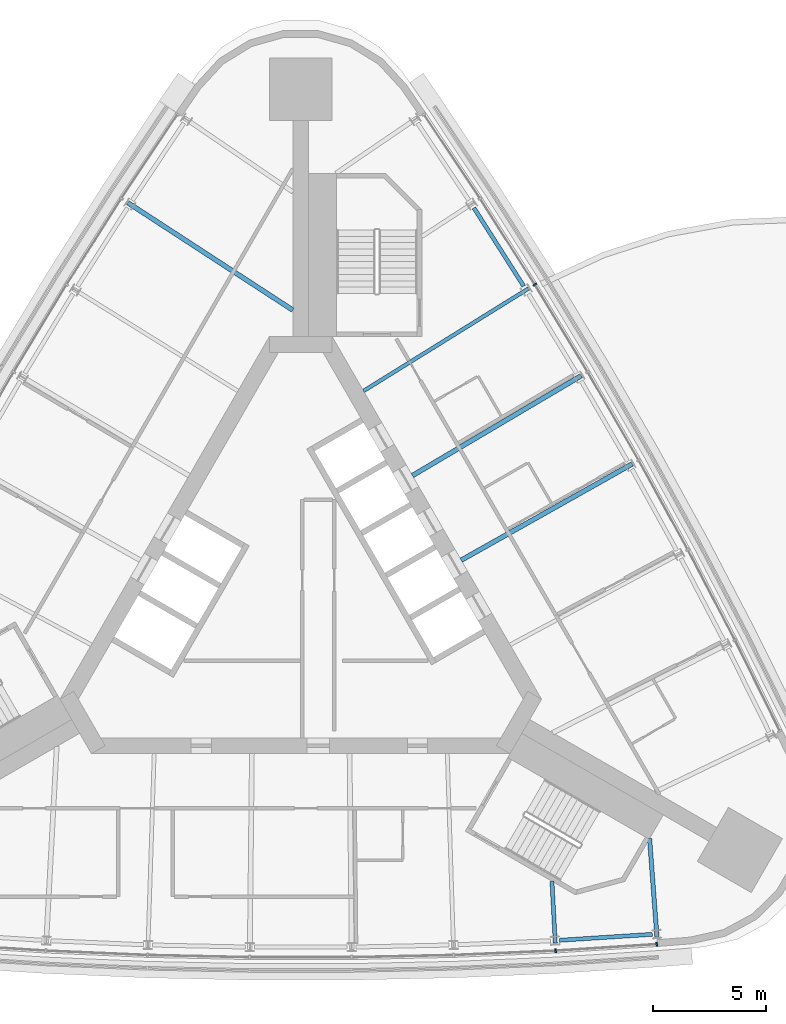
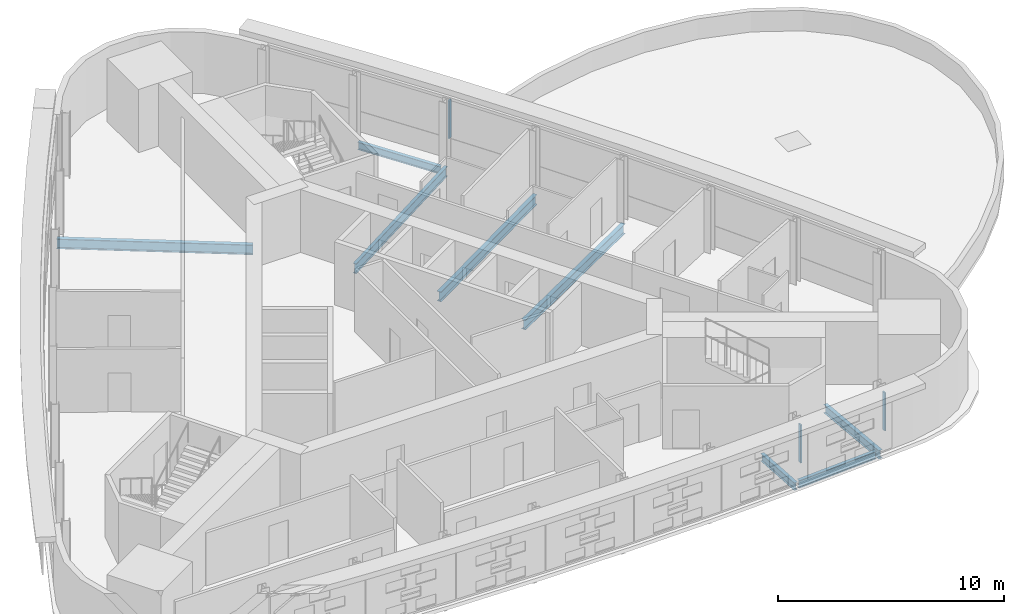
# One storey, part 4 of 12: 8 beams, 3 members, 2 elements without a shape of their own.
"""IFC4 building model written with IfcOpenShell, lengths in metres."""

from ifc_helpers import new_model, si_unit, direction, frame, origin, origin_2d, place, context, subcontext, project, spatial, rectangle, i_section, extrude, material, material_profile, profile_set, type_object, element, aggregate, save


model = new_model("IFC4")

# Units and contexts
model_context = context("Model", 3, precision=1e-05, world=origin(), true_north=direction((0.0, 1.0)))
body_context = subcontext(model_context, "Body", "Model", "MODEL_VIEW")
ifc_project = project(units=[si_unit("LENGTHUNIT", "METRE"), si_unit("AREAUNIT", "SQUARE_METRE"), si_unit("VOLUMEUNIT", "CUBIC_METRE"), si_unit("PLANEANGLEUNIT", "RADIAN"), si_unit("MASSUNIT", "GRAM", prefix="KILO")], contexts=[model_context])

# Site, building, storey
site_placement = place(None, origin())
site = spatial("IfcSite", under=ifc_project, at=site_placement, CompositionType="ELEMENT")
building_placement = place(site_placement, origin())
building = spatial("IfcBuilding", under=site, at=building_placement, Name="Noor Cloister Tower", CompositionType="ELEMENT")
storey_placement = place(building_placement, frame((0.0, 0.0, 185.10009765625)))
storey = spatial("IfcBuildingStorey", under=building, at=storey_placement, Name="L47", CompositionType="ELEMENT", Elevation=185.10009765625)

# Curtain wall, members
ifc_material_1 = material(Name="Aluminium 6063-T6 anodised", Category="aluminium")
curtain_wall_type = type_object("IfcCurtainWallType", Name="Ribbon curtain wall, upper tower CW5", PredefinedType="NOTDEFINED", material=ifc_material_1)
curtain_wall_1_placement = place(storey_placement, origin())
curtain_wall_1 = element("IfcCurtainWall", 1, at=curtain_wall_1_placement, inside=storey, type_object=curtain_wall_type, Name="CW5 L47 S run 2", PredefinedType="NOTDEFINED")
ifc_material_2 = material(Name="Aluminium 6063-T6 anodised", Category="aluminium")
ifc_material_profile_1 = material_profile(ifc_material_2, rectangle(XDim=0.179931640625, YDim=0.070068359375, at=origin_2d()), Name="180 x 70 mullion")
ifc_profile_set_1 = profile_set([ifc_material_profile_1], Name="Aluminium 6063-T6 anodised")
member_type = type_object("IfcMemberType", Name="Mullion CW5 70 x 180", PredefinedType="MULLION", material=ifc_profile_set_1)
member_1_placement = place(storey_placement, frame((11.2392578125, -15.617919921875, 1.099853515625), z_axis=(0.0, 0.0, 1.0), x_axis=(-0.05349459064, 0.998568139274, 0.0)))
member_1 = element("IfcMember", 2, at=member_1_placement, type_object=member_type, Name="CW5 mullion 7", PredefinedType="MULLION", context=body_context, shape_type="SweptSolid", body=[
    extrude(rectangle(XDim=0.179931640625, YDim=0.070068359375, at=origin_2d()), origin(), (0.0, 0.0, 1.0), 2.050048828125),
])
member_2_placement = place(storey_placement, frame((15.69384765625, -15.33154296875, 1.099853515625), z_axis=(0.0, 0.0, 1.0), x_axis=(-0.064180029753, 0.997938336663, 0.0)))
member_2 = element("IfcMember", 3, at=member_2_placement, type_object=member_type, Name="CW5 mullion 8", PredefinedType="MULLION", context=body_context, shape_type="SweptSolid", body=[
    extrude(rectangle(XDim=0.179931640625, YDim=0.070068359375, at=origin_2d()), origin(), (0.0, 0.0, 1.0), 2.050048828125),
])
aggregate(curtain_wall_1, [member_1, member_2])

# Curtain wall, member
curtain_wall_2_placement = place(storey_placement, origin())
curtain_wall_2 = element("IfcCurtainWall", 4, at=curtain_wall_2_placement, inside=storey, type_object=curtain_wall_type, Name="CW5 L47 NE run 3", PredefinedType="NOTDEFINED")
member_3_placement = place(storey_placement, frame((10.319580078125, 13.7470703125, 1.099853515625), z_axis=(0.0, 0.0, 1.0), x_axis=(-0.849525641799, -0.527547328612, 0.0)))
member_3 = element("IfcMember", 5, at=member_3_placement, type_object=member_type, Name="CW5 mullion 6", PredefinedType="MULLION", context=body_context, shape_type="SweptSolid", body=[
    extrude(rectangle(XDim=0.179931640625, YDim=0.070068359375, at=origin_2d()), origin(), (0.0, 0.0, 1.0), 2.050048828125),
])
aggregate(curtain_wall_2, [member_3])

# Beams
ifc_material_3 = material(Name="Steel ASTM A992 Gr 50", Category="steel")
ifc_material_profile_2 = material_profile(ifc_material_3, i_section(OverallWidth=0.177978515625, OverallDepth=0.406005859375, WebThickness=0.0078125, FlangeThickness=0.0126953125, FilletRadius=0.01025390625, at=origin_2d()), Name="W410x60")
ifc_profile_set_2 = profile_set([ifc_material_profile_2], Name="Steel ASTM A992 Gr 50")
beam_type_1 = type_object("IfcBeamType", Name="Radial beam W410x60", PredefinedType="BEAM", material=ifc_profile_set_2)
beam_1_placement = place(storey_placement, frame((11.22119140625, -15.280517578125, -0.403076171875), z_axis=(-0.053497907278, 0.998567961591, 0.0), x_axis=(-0.998567961591, -0.053497907278, 0.0)))
element("IfcBeam", 6, at=beam_1_placement, inside=storey, type_object=beam_type_1, Name="Radial beam S 07 L47", PredefinedType="BEAM", context=body_context, shape_type="SweptSolid", body=[
    extrude(i_section(OverallWidth=0.177978515625, OverallDepth=0.406005859375, WebThickness=0.0078125, FlangeThickness=0.0126953125, FilletRadius=0.01025390625, at=origin_2d()), origin(), (0.0, 0.0, 1.0), 2.72900390625),
])
ifc_material_4 = material(Name="Steel ASTM A992 Gr 50", Category="steel")
ifc_material_profile_3 = material_profile(ifc_material_4, i_section(OverallWidth=0.19091796875, OverallDepth=0.45703125, WebThickness=0.009033203125, FlangeThickness=0.014404296875, FilletRadius=0.01025390625, at=origin_2d()), Name="W460x74")
ifc_profile_set_3 = profile_set([ifc_material_profile_3], Name="Steel ASTM A992 Gr 50")
beam_type_2 = type_object("IfcBeamType", Name="Radial beam W460x74", PredefinedType="BEAM", material=ifc_profile_set_3)
beam_2_placement = place(storey_placement, frame((15.702392578125, -14.9921875, -0.4287109375), z_axis=(-0.074858666171, 0.997194153663, 0.0), x_axis=(-0.997194153663, -0.074858666171, 0.0)))
element("IfcBeam", 7, at=beam_2_placement, inside=storey, type_object=beam_type_2, Name="Radial beam S 08 L47", PredefinedType="BEAM", context=body_context, shape_type="SweptSolid", body=[
    extrude(i_section(OverallWidth=0.19091796875, OverallDepth=0.45703125, WebThickness=0.009033203125, FlangeThickness=0.014404296875, FilletRadius=0.01025390625, at=origin_2d()), origin(), (0.0, 0.0, 1.0), 4.327880859375),
])
ifc_material_5 = material(Name="Steel ASTM A992 Gr 50", Category="steel")
ifc_material_profile_4 = material_profile(ifc_material_5, i_section(OverallWidth=0.166015625, OverallDepth=0.528076171875, WebThickness=0.009765625, FlangeThickness=0.013671875, FilletRadius=0.0126953125, at=origin_2d()), Name="W530x74")
ifc_profile_set_4 = profile_set([ifc_material_profile_4], Name="Steel ASTM A992 Gr 50")
beam_type_3 = type_object("IfcBeamType", Name="Radial beam W530x74", PredefinedType="BEAM", material=ifc_profile_set_4)
beam_3_placement = place(storey_placement, frame((10.032470703125, 13.56884765625, -0.464111328125), z_axis=(-0.849528515527, -0.527542700932, 0.0), x_axis=(0.527542700932, -0.849528515527, 0.0)))
element("IfcBeam", 8, at=beam_3_placement, inside=storey, type_object=beam_type_3, Name="Radial beam NE 06 L47", PredefinedType="BEAM", context=body_context, shape_type="SweptSolid", body=[
    extrude(i_section(OverallWidth=0.166015625, OverallDepth=0.528076171875, WebThickness=0.009765625, FlangeThickness=0.013671875, FilletRadius=0.0126953125, at=origin_2d()), origin(), (0.0, 0.0, 1.0), 8.549072265625),
])
ifc_material_6 = material(Name="Steel ASTM A992 Gr 50", Category="steel")
ifc_material_profile_5 = material_profile(ifc_material_6, i_section(OverallWidth=0.208984375, OverallDepth=0.532958984375, WebThickness=0.01025390625, FlangeThickness=0.015625, FilletRadius=0.0126953125, at=origin_2d()), Name="W530x92")
ifc_profile_set_5 = profile_set([ifc_material_profile_5], Name="Steel ASTM A992 Gr 50")
beam_type_4 = type_object("IfcBeamType", Name="Radial beam W530x92", PredefinedType="BEAM", material=ifc_profile_set_5)
beam_4_placement = place(storey_placement, frame((-7.622802734375, 17.358154296875, -0.466552734375), z_axis=(0.838030093926, -0.545624011269, 0.0), x_axis=(0.545624011269, 0.838030093926, 0.0)))
element("IfcBeam", 9, at=beam_4_placement, inside=storey, type_object=beam_type_4, Name="Radial beam NW 02 L47", PredefinedType="BEAM", context=body_context, shape_type="SweptSolid", body=[
    extrude(i_section(OverallWidth=0.208984375, OverallDepth=0.532958984375, WebThickness=0.01025390625, FlangeThickness=0.015625, FilletRadius=0.0126953125, at=origin_2d()), origin(), (0.0, 0.0, 1.0), 8.67822265625),
])
for number, where, z_axis, x_axis, name in (
    (10, (14.605712890625, 5.83984375, -0.466552734375), (-0.871340018191, -0.490679704796, 0.0), (0.490679704796, -0.871340018191, 0.0), "Radial beam NE 04 L47"),
    (11, (12.3603515625, 9.728759765625, -0.466552734375), (-0.860625455568, -0.509238475794, 0.0), (0.509238475794, -0.860625455568, 0.0), "Radial beam NE 05 L47"),
):
    element("IfcBeam", number, at=place(storey_placement, frame(where, z_axis=z_axis, x_axis=x_axis)), inside=storey, type_object=beam_type_4, Name=name, PredefinedType="BEAM", context=body_context, shape_type="SweptSolid", body=[
        extrude(i_section(OverallWidth=0.208984375, OverallDepth=0.532958984375, WebThickness=0.01025390625, FlangeThickness=0.015625, FilletRadius=0.0126953125, at=origin_2d()), origin(), (0.0, 0.0, 1.0), 8.64111328125),
    ])
ifc_material_7 = material(Name="Steel ASTM A992 Gr 50", Category="steel")
ifc_material_profile_6 = material_profile(ifc_material_7, i_section(OverallWidth=0.177978515625, OverallDepth=0.406005859375, WebThickness=0.0078125, FlangeThickness=0.0126953125, FilletRadius=0.01025390625, at=origin_2d()), Name="W410x60")
ifc_profile_set_6 = profile_set([ifc_material_profile_6], Name="Steel ASTM A992 Gr 50")
beam_type_5 = type_object("IfcBeamType", Name="Spandrel beam W410x60", PredefinedType="SPANDREL", material=ifc_profile_set_6)
for number, where, z_axis, x_axis, name in (
    (12, (11.411865234375, -15.156005859375, -0.403076171875), (0.997939374262, 0.064163894037, 0.0), (-0.064163894037, 0.997939374262, 0.0), "Spandrel beam S 07 L47"),
    (13, (9.83154296875, 13.676025390625, -0.403076171875), (-0.536613092899, 0.843828411781, 0.0), (-0.843828411781, -0.536613092899, 0.0), "Spandrel beam NE 06 L47"),
):
    element("IfcBeam", number, at=place(storey_placement, frame(where, z_axis=z_axis, x_axis=x_axis)), inside=storey, type_object=beam_type_5, Name=name, PredefinedType="SPANDREL", context=body_context, shape_type="SweptSolid", body=[
        extrude(i_section(OverallWidth=0.177978515625, OverallDepth=0.406005859375, WebThickness=0.0078125, FlangeThickness=0.0126953125, FilletRadius=0.01025390625, at=origin_2d()), origin(), (0.0, 0.0, 1.0), 4.09423828125),
    ])

save(model, "model.ifc")
